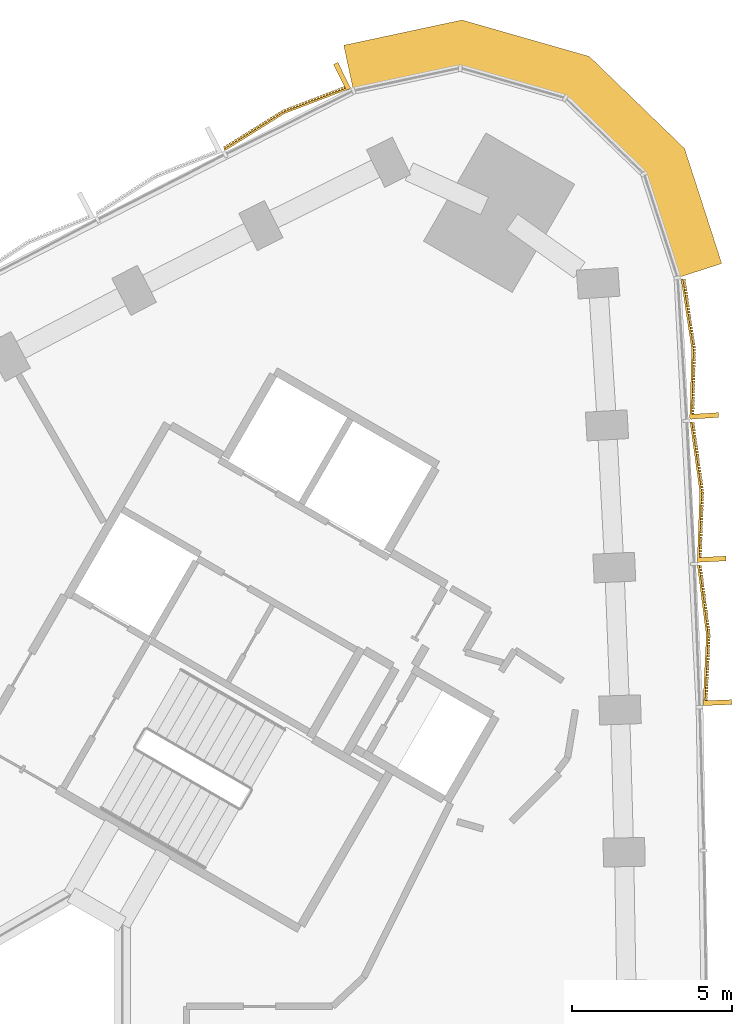
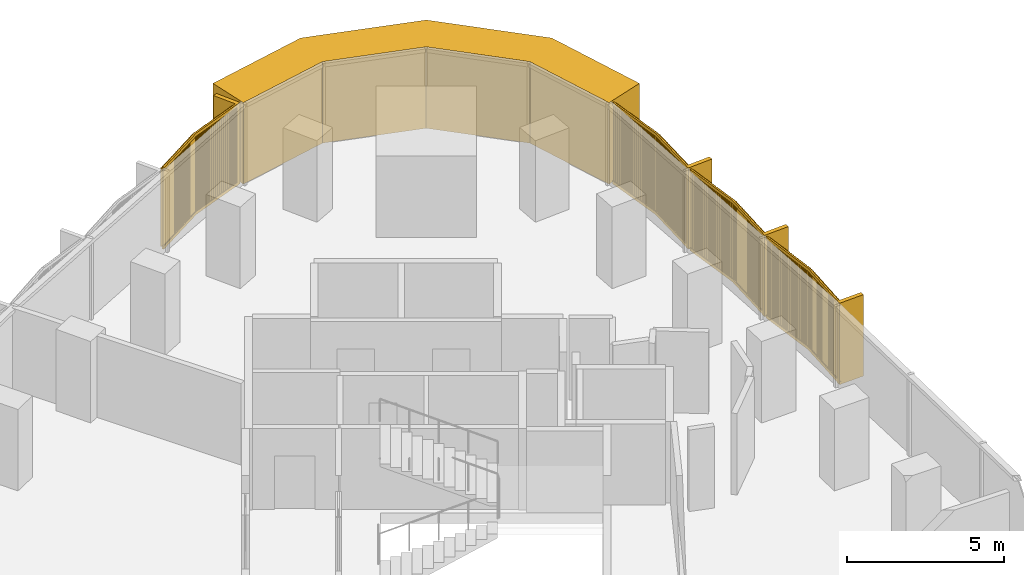
# One storey, part 15 of 15: 5 coverings.
"""IFC4 building model written with IfcOpenShell, lengths in metres."""

import ifcopenshell
import ifcopenshell.guid

model = None  # the IFC model being written
_history = None  # IfcOwnerHistory: only IFC2X3 demands one
_inside = {}  # id of a spatial element -> (the spatial element, [elements in it])
_under = {}  # id of a project, library or spatial element -> (it, [spatial elements below it])
_declared = {}  # id of a project -> (the project, [libraries it declares])
_typed = {}  # id of a type object -> (the type object, [elements of that type])
_made_of = {}  # id of a material, layer set ... -> (it, [elements and type objects made of it])


def new_model(schema):
    """Start an empty IFC model of exactly this schema.

    Asked for "IFC4X3", IfcOpenShell would pick the latest addendum, in which some entities
    have other attributes; the version numbers below select the first issue.
    IFC2X3 requires an IfcOwnerHistory on every rooted entity: one is made here for all.
    """
    global model, _history
    if schema == "IFC4X3":
        model = ifcopenshell.file(schema_version=(4, 3, 0, 0))
    else:
        model = ifcopenshell.file(schema=schema)
    _inside.clear()
    _under.clear()
    _declared.clear()
    _typed.clear()
    _made_of.clear()
    _history = None
    if model.schema == "IFC2X3":
        org = make("IfcOrganization", Name="unknown")
        user = make(
            "IfcPersonAndOrganization",
            ThePerson=make("IfcPerson", FamilyName="unknown"),
            TheOrganization=org,
        )
        app = make(
            "IfcApplication",
            ApplicationDeveloper=org,
            Version="unknown",
            ApplicationFullName="unknown",
            ApplicationIdentifier="unknown",
        )
        _history = make(
            "IfcOwnerHistory",
            OwningUser=user,
            OwningApplication=app,
            ChangeAction="ADDED",
            CreationDate=0,
        )
    return model


def make(cls, **values):
    """One entity of the class cls with the attributes given. An attribute that is None is left unset."""
    return model.create_entity(
        cls, **{name: value for name, value in values.items() if value is not None}
    )


def rooted(cls, **values):
    """An entity with a GlobalId (a new one), such as an element, a storey or a relation."""
    return make(cls, GlobalId=ifcopenshell.guid.new(), OwnerHistory=_history, **values)


def si_unit(unit_type, name, prefix=None):
    """IfcSIUnit, for example si_unit("LENGTHUNIT", "METRE", prefix="MILLI")."""
    return make("IfcSIUnit", UnitType=unit_type, Prefix=prefix, Name=name)


def assignment(units):
    """IfcUnitAssignment: the units of a project."""
    return None if units is None else make("IfcUnitAssignment", Units=units)


def point(xyz):
    """IfcCartesianPoint."""
    return None if xyz is None else make("IfcCartesianPoint", Coordinates=xyz)


def direction(xyz):
    """IfcDirection."""
    return None if xyz is None else make("IfcDirection", DirectionRatios=xyz)


def frame(location, z_axis=None, x_axis=None):
    """IfcAxis2Placement3D, a coordinate frame: its origin and axes. An axis left out is left unset."""
    return make(
        "IfcAxis2Placement3D",
        Location=point(location),
        Axis=direction(z_axis),
        RefDirection=direction(x_axis),
    )


def frame_2d(location, x_axis=None):
    """IfcAxis2Placement2D, a coordinate frame in the plane: its origin and x axis."""
    return make(
        "IfcAxis2Placement2D", Location=point(location), RefDirection=direction(x_axis)
    )


def origin():
    """The frame at (0, 0, 0) with its axes left unset."""
    return frame((0.0, 0.0, 0.0))


def place(relative_to, where):
    """IfcLocalPlacement: puts the frame where relative to a parent placement (None: the world)."""
    return make(
        "IfcLocalPlacement", PlacementRelTo=relative_to, RelativePlacement=where
    )


def context(
    kind, dimensions, precision=None, world=None, true_north=None, identifier=None
):
    """IfcGeometricRepresentationContext, for example the 3D "Model" context."""
    return make(
        "IfcGeometricRepresentationContext",
        ContextIdentifier=identifier,
        ContextType=kind,
        CoordinateSpaceDimension=dimensions,
        Precision=precision,
        WorldCoordinateSystem=world,
        TrueNorth=true_north,
    )


def subcontext(parent, identifier, kind, view, scale=None):
    """IfcGeometricRepresentationSubContext, for example "Body" below "Model"."""
    return make(
        "IfcGeometricRepresentationSubContext",
        ContextIdentifier=identifier,
        ContextType=kind,
        ParentContext=parent,
        TargetScale=scale,
        TargetView=view,
    )


def project(units=None, contexts=None):
    """IfcProject with its units and contexts."""
    return rooted(
        "IfcProject",
        Name="project",
        RepresentationContexts=contexts,
        UnitsInContext=assignment(units),
    )


def spatial(cls, under=None, at=None, **own):
    """A site, building, storey or space (cls), placed at a placement, below another one or the project."""
    s = rooted(cls, ObjectPlacement=at, **own)
    if under is not None:
        _under.setdefault(under.id(), (under, []))[1].append(s)
    return s


def polyline(points):
    """IfcPolyline through the points."""
    return make("IfcPolyline", Points=[point(p) for p in points])


def profile(cls, at=None, kind="AREA", **sizes):
    """A parametric profile (cls). Its sizes go by their IFC names, for example OverallWidth=200.0."""
    return make(cls, ProfileType=kind, Position=at, **sizes)


def rectangle(**sizes):
    """IfcRectangleProfileDef."""
    return profile("IfcRectangleProfileDef", **sizes)


def outline(outer, holes=None, kind="AREA"):
    """IfcArbitraryClosedProfileDef: a profile drawn as a closed curve; with holes, ...WithVoids."""
    if holes is None:
        return make("IfcArbitraryClosedProfileDef", ProfileType=kind, OuterCurve=outer)
    return make(
        "IfcArbitraryProfileDefWithVoids",
        ProfileType=kind,
        OuterCurve=outer,
        InnerCurves=holes,
    )


def extrude(swept, where, along, depth):
    """IfcExtrudedAreaSolid: the profile swept, set in the frame where, extruded along a direction by depth."""
    return make(
        "IfcExtrudedAreaSolid",
        SweptArea=swept,
        Position=where,
        ExtrudedDirection=direction(along),
        Depth=depth,
    )


def shape(context_of_items, identifier, shape_type, items):
    """IfcShapeRepresentation: the items that make up one representation, for example the "Body"."""
    return make(
        "IfcShapeRepresentation",
        ContextOfItems=context_of_items,
        RepresentationIdentifier=identifier,
        RepresentationType=shape_type,
        Items=items,
    )


def source(mapping_origin, context_of_items, identifier, shape_type, items):
    """IfcRepresentationMap: a shape defined once, which mapped items show again and again."""
    return make(
        "IfcRepresentationMap",
        MappingOrigin=mapping_origin,
        MappedRepresentation=shape(context_of_items, identifier, shape_type, items),
    )


def transform(
    local_origin,
    x_axis=None,
    y_axis=None,
    z_axis=None,
    scale=None,
    scale2=None,
    scale3=None,
    uniform=True,
):
    """IfcCartesianTransformationOperator3D, or its non-uniform kind. x_axis, y_axis, z_axis: its Axis1, 2, 3."""
    if uniform:
        return make(
            "IfcCartesianTransformationOperator3D",
            Axis1=direction(x_axis),
            Axis2=direction(y_axis),
            LocalOrigin=point(local_origin),
            Scale=scale,
            Axis3=direction(z_axis),
        )
    return make(
        "IfcCartesianTransformationOperator3DnonUniform",
        Axis1=direction(x_axis),
        Axis2=direction(y_axis),
        LocalOrigin=point(local_origin),
        Scale=scale,
        Axis3=direction(z_axis),
        Scale2=scale2,
        Scale3=scale3,
    )


def mapped(mapping_source, mapping_target):
    """IfcMappedItem: shows the shape of a source again, moved by a transform."""
    return make(
        "IfcMappedItem", MappingSource=mapping_source, MappingTarget=mapping_target
    )


def material(Name=None, Category=None):
    """IfcMaterial."""
    return make("IfcMaterial", Name=Name, Category=Category)


def layer(
    of_material, thickness, ventilated=None, Name=None, Category=None, Priority=None
):
    """IfcMaterialLayer: one layer of a wall or slab, of a material (None: an air gap)."""
    return make(
        "IfcMaterialLayer",
        Material=of_material,
        LayerThickness=thickness,
        IsVentilated=ventilated,
        Name=Name,
        Category=Category,
        Priority=Priority,
    )


def layer_set(layers, Name=None):
    """IfcMaterialLayerSet."""
    return make("IfcMaterialLayerSet", MaterialLayers=layers, LayerSetName=Name)


def made_of(thing, what):
    """Note that an element or type object is made of a material, layer set ...; save() writes the relation."""
    if what is not None:
        _made_of.setdefault(what.id(), (what, []))[1].append(thing)
    return thing


def type_object(cls, material=None, **own):
    """A type object (cls), such as IfcWallType, which elements share."""
    return made_of(rooted(cls, **own), material)


def element(
    cls,
    number,
    at=None,
    inside=None,
    cuts=None,
    type_object=None,
    material=None,
    context=None,
    identifier="Body",
    shape_type=None,
    held_by="IfcProductDefinitionShape",
    body=None,
    shapes=None,
    **own,
):
    """One element of the class cls, such as IfcWall. Its Tag is "e" and its number.

    at: its placement. inside: the storey or other place that contains it. cuts: it is an
    opening in that element (IfcRelVoidsElement). A single representation is given by context,
    identifier, shape_type and body (its items); several are given by shapes. held_by: the class
    of the entity that holds the representations. save() writes the other relations.
    """
    e = rooted(cls, Tag="e%d" % number, ObjectPlacement=at, **own)
    if body is not None:
        shapes = [shape(context, identifier, shape_type, body)]
    if shapes is not None:
        e.Representation = make(held_by, Representations=shapes)
    if inside is not None:
        _inside.setdefault(inside.id(), (inside, []))[1].append(e)
    if cuts is not None:
        rooted(
            "IfcRelVoidsElement", RelatingBuildingElement=cuts, RelatedOpeningElement=e
        )
    if type_object is not None:
        _typed.setdefault(type_object.id(), (type_object, []))[1].append(e)
    return made_of(e, material)


def aggregate(whole, parts):
    """IfcRelAggregates: a whole, such as a stair, and the parts it consists of."""
    return rooted("IfcRelAggregates", RelatingObject=whole, RelatedObjects=parts)


def save(model, path):
    """Write the relations noted so far, then the file.

    IfcRelAggregates (storeys below a building ...), IfcRelContainedInSpatialStructure (elements
    in a storey), IfcRelDefinesByType, IfcRelAssociatesMaterial and IfcRelDeclares: one each for
    every whole, place, type object, material and project.
    """
    for whole, parts in _under.values():
        aggregate(whole, parts)
    for where, things in _inside.values():
        rooted(
            "IfcRelContainedInSpatialStructure",
            RelatedElements=things,
            RelatingStructure=where,
        )
    for kind, things in _typed.values():
        rooted("IfcRelDefinesByType", RelatedObjects=things, RelatingType=kind)
    for what, things in _made_of.values():
        rooted("IfcRelAssociatesMaterial", RelatedObjects=things, RelatingMaterial=what)
    for by, libraries in _declared.values():
        rooted("IfcRelDeclares", RelatingContext=by, RelatedDefinitions=libraries)
    model.write(path)


model = new_model("IFC4")

# Units and contexts
model_context = context("Model", 3, precision=1e-05, world=origin(), true_north=direction((0.0, 1.0)))
body_context = subcontext(model_context, "Body", "Model", "MODEL_VIEW")
ifc_project = project(units=[si_unit("LENGTHUNIT", "METRE"), si_unit("AREAUNIT", "SQUARE_METRE"), si_unit("VOLUMEUNIT", "CUBIC_METRE"), si_unit("PLANEANGLEUNIT", "RADIAN"), si_unit("MASSUNIT", "GRAM", prefix="KILO")], contexts=[model_context])

# Site, building, storey
site_placement = place(None, origin())
site = spatial("IfcSite", under=ifc_project, at=site_placement, CompositionType="ELEMENT")
building_placement = place(site_placement, origin())
building = spatial("IfcBuilding", under=site, at=building_placement, Name="Tamra Quay Hotel Tower", CompositionType="ELEMENT")
storey_placement = place(building_placement, frame((0.0, 0.0, 97.39990234375)))
storey = spatial("IfcBuildingStorey", under=building, at=storey_placement, Name="L23", CompositionType="ELEMENT", Elevation=97.39990234375)

# Coverings
ifc_material_1 = material(Name="Precast concrete M60 terracotta-coloured", Category="masonry")
ifc_layer = layer(ifc_material_1, 1.449951171875)
ifc_layer_set = layer_set([ifc_layer], Name="CORNER PIER PANEL")
covering_type_1 = type_object("IfcCoveringType", Name="CORNER PIER PANEL", PredefinedType="CLADDING", material=ifc_layer_set)
covering_1_placement = place(storey_placement, origin())
element("IfcCovering", 1, at=covering_1_placement, inside=storey, type_object=covering_type_1, Name="Corner pier L23.east", PredefinedType="CLADDING", context=body_context, shape_type="SweptSolid", body=[
    extrude(outline(polyline([(22.226318359375, 26.81787109375), (23.60595703125, 27.26416015625), (22.44482421875, 30.853271484375), (19.471923828125, 33.7265625), (15.497314453125, 34.864501953125), (11.808349609375, 34.075439453125), (12.11181640625, 32.657470703125), (15.4462890625, 33.370849609375), (18.724609375, 32.43212890625), (21.1767578125, 30.062255859375), (22.226318359375, 26.81787109375)])), origin(), (0.0, 0.0, 1.0), 3.175048828125),
])
ifc_material_2 = material(Name="Terracotta baguette extruded", Category="masonry")
covering_type_2 = type_object("IfcCoveringType", Name="BAGUETTE SCREEN E-V H3175", PredefinedType="USERDEFINED", material=ifc_material_2)
shared_shape_1 = source(origin(), body_context, "Body", "SweptSolid", [
    extrude(rectangle(XDim=2.200927734375, YDim=0.06005859375, at=frame_2d((1.1005859375, 0.030029296875))), frame((-2.19775390625, -0.057861328125, -0.1201171875), z_axis=(0.0, 0.0, 1.0), x_axis=(0.996194698092, -0.087155742748, 0.0)), (0.0, 0.0, 1.0), 0.1201171875),
    extrude(rectangle(XDim=2.200927734375, YDim=0.06005859375, at=frame_2d((1.1005859375, 0.030029296875))), frame((-2.19775390625, -0.057861328125, -3.175048828125), z_axis=(0.0, 0.0, 1.0), x_axis=(0.996194698092, -0.087155742748, 0.0)), (0.0, 0.0, 1.0), 0.1201171875),
    extrude(rectangle(XDim=0.070068359375, YDim=0.10009765625, at=frame_2d((0.03515625, 0.050048828125))), frame((-2.177734375, -0.13232421875, -3.114990234375)), (0.0, 0.0, 1.0), 3.054931640625),
    extrude(rectangle(XDim=0.070068359375, YDim=0.10009765625, at=frame_2d((0.03515625, 0.050048828125))), frame((-2.078125, -0.14111328125, -3.114990234375)), (0.0, 0.0, 1.0), 3.054931640625),
    extrude(rectangle(XDim=0.070068359375, YDim=0.10009765625, at=frame_2d((0.03515625, 0.050048828125))), frame((-1.978271484375, -0.14990234375, -3.114990234375)), (0.0, 0.0, 1.0), 3.054931640625),
    extrude(rectangle(XDim=0.070068359375, YDim=0.10009765625, at=frame_2d((0.03515625, 0.050048828125))), frame((-1.878662109375, -0.158447265625, -3.114990234375)), (0.0, 0.0, 1.0), 3.054931640625),
    extrude(rectangle(XDim=0.070068359375, YDim=0.10009765625, at=frame_2d((0.03515625, 0.050048828125))), frame((-1.779052734375, -0.167236328125, -3.114990234375)), (0.0, 0.0, 1.0), 3.054931640625),
    extrude(rectangle(XDim=0.070068359375, YDim=0.10009765625, at=frame_2d((0.03515625, 0.050048828125))), frame((-1.679443359375, -0.176025390625, -3.114990234375)), (0.0, 0.0, 1.0), 3.054931640625),
    extrude(rectangle(XDim=0.070068359375, YDim=0.10009765625, at=frame_2d((0.03515625, 0.050048828125))), frame((-1.579833984375, -0.1845703125, -3.114990234375)), (0.0, 0.0, 1.0), 3.054931640625),
    extrude(rectangle(XDim=0.070068359375, YDim=0.10009765625, at=frame_2d((0.03515625, 0.050048828125))), frame((-1.47998046875, -0.193359375, -3.114990234375)), (0.0, 0.0, 1.0), 3.054931640625),
    extrude(rectangle(XDim=0.070068359375, YDim=0.10009765625, at=frame_2d((0.03515625, 0.050048828125))), frame((-1.38037109375, -0.2021484375, -3.114990234375)), (0.0, 0.0, 1.0), 3.054931640625),
    extrude(rectangle(XDim=0.070068359375, YDim=0.10009765625, at=frame_2d((0.03515625, 0.050048828125))), frame((-1.28076171875, -0.2109375, -3.114990234375)), (0.0, 0.0, 1.0), 3.054931640625),
    extrude(rectangle(XDim=0.070068359375, YDim=0.10009765625, at=frame_2d((0.03515625, 0.050048828125))), frame((-1.18115234375, -0.219482421875, -3.114990234375)), (0.0, 0.0, 1.0), 3.054931640625),
    extrude(rectangle(XDim=0.070068359375, YDim=0.10009765625, at=frame_2d((0.03515625, 0.050048828125))), frame((-1.081298828125, -0.228271484375, -3.114990234375)), (0.0, 0.0, 1.0), 3.054931640625),
    extrude(rectangle(XDim=0.070068359375, YDim=0.10009765625, at=frame_2d((0.03515625, 0.050048828125))), frame((-0.981689453125, -0.237060546875, -3.114990234375)), (0.0, 0.0, 1.0), 3.054931640625),
    extrude(rectangle(XDim=0.070068359375, YDim=0.10009765625, at=frame_2d((0.03515625, 0.050048828125))), frame((-0.882080078125, -0.24560546875, -3.114990234375)), (0.0, 0.0, 1.0), 3.054931640625),
    extrude(rectangle(XDim=0.070068359375, YDim=0.10009765625, at=frame_2d((0.03515625, 0.050048828125))), frame((-0.782470703125, -0.25439453125, -3.114990234375)), (0.0, 0.0, 1.0), 3.054931640625),
    extrude(rectangle(XDim=0.070068359375, YDim=0.10009765625, at=frame_2d((0.03515625, 0.050048828125))), frame((-0.682861328125, -0.26318359375, -3.114990234375)), (0.0, 0.0, 1.0), 3.054931640625),
    extrude(rectangle(XDim=0.070068359375, YDim=0.10009765625, at=frame_2d((0.03515625, 0.050048828125))), frame((-0.583251953125, -0.27197265625, -3.114990234375)), (0.0, 0.0, 1.0), 3.054931640625),
    extrude(rectangle(XDim=0.070068359375, YDim=0.10009765625, at=frame_2d((0.03515625, 0.050048828125))), frame((-0.4833984375, -0.280517578125, -3.114990234375)), (0.0, 0.0, 1.0), 3.054931640625),
    extrude(rectangle(XDim=0.070068359375, YDim=0.10009765625, at=frame_2d((0.03515625, 0.050048828125))), frame((-0.3837890625, -0.289306640625, -3.114990234375)), (0.0, 0.0, 1.0), 3.054931640625),
    extrude(rectangle(XDim=0.070068359375, YDim=0.10009765625, at=frame_2d((0.03515625, 0.050048828125))), frame((-0.2841796875, -0.298095703125, -3.114990234375)), (0.0, 0.0, 1.0), 3.054931640625),
    extrude(rectangle(XDim=0.070068359375, YDim=0.10009765625, at=frame_2d((0.03515625, 0.050048828125))), frame((-0.1845703125, -0.306640625, -3.114990234375)), (0.0, 0.0, 1.0), 3.054931640625),
    extrude(rectangle(XDim=0.070068359375, YDim=0.10009765625, at=frame_2d((0.03515625, 0.050048828125))), frame((-0.084716796875, -0.3154296875, -3.114990234375)), (0.0, 0.0, 1.0), 3.054931640625),
    extrude(rectangle(XDim=2.200927734375, YDim=0.06005859375, at=frame_2d((1.1005859375, 0.030029296875))), frame((0.005126953125, -0.24951171875, -0.1201171875), z_axis=(0.0, 0.0, 1.0), x_axis=(0.996194698092, 0.087155742748, 0.0)), (0.0, 0.0, 1.0), 0.1201171875),
    extrude(rectangle(XDim=2.200927734375, YDim=0.06005859375, at=frame_2d((1.1005859375, 0.030029296875))), frame((0.005126953125, -0.24951171875, -3.175048828125), z_axis=(0.0, 0.0, 1.0), x_axis=(0.996194698092, 0.087155742748, 0.0)), (0.0, 0.0, 1.0), 0.1201171875),
    extrude(rectangle(XDim=0.070068359375, YDim=0.10009765625, at=frame_2d((0.03515625, 0.050048828125))), frame((0.014892578125, -0.3154296875, -3.114990234375)), (0.0, 0.0, 1.0), 3.054931640625),
    extrude(rectangle(XDim=0.070068359375, YDim=0.10009765625, at=frame_2d((0.03515625, 0.050048828125))), frame((0.114501953125, -0.306640625, -3.114990234375)), (0.0, 0.0, 1.0), 3.054931640625),
    extrude(rectangle(XDim=0.070068359375, YDim=0.10009765625, at=frame_2d((0.03515625, 0.050048828125))), frame((0.214111328125, -0.298095703125, -3.114990234375)), (0.0, 0.0, 1.0), 3.054931640625),
    extrude(rectangle(XDim=0.070068359375, YDim=0.10009765625, at=frame_2d((0.03515625, 0.050048828125))), frame((0.313720703125, -0.289306640625, -3.114990234375)), (0.0, 0.0, 1.0), 3.054931640625),
    extrude(rectangle(XDim=0.070068359375, YDim=0.10009765625, at=frame_2d((0.03515625, 0.050048828125))), frame((0.41357421875, -0.280517578125, -3.114990234375)), (0.0, 0.0, 1.0), 3.054931640625),
    extrude(rectangle(XDim=0.070068359375, YDim=0.10009765625, at=frame_2d((0.03515625, 0.050048828125))), frame((0.51318359375, -0.27197265625, -3.114990234375)), (0.0, 0.0, 1.0), 3.054931640625),
    extrude(rectangle(XDim=0.070068359375, YDim=0.10009765625, at=frame_2d((0.03515625, 0.050048828125))), frame((0.61279296875, -0.26318359375, -3.114990234375)), (0.0, 0.0, 1.0), 3.054931640625),
    extrude(rectangle(XDim=0.070068359375, YDim=0.10009765625, at=frame_2d((0.03515625, 0.050048828125))), frame((0.71240234375, -0.25439453125, -3.114990234375)), (0.0, 0.0, 1.0), 3.054931640625),
    extrude(rectangle(XDim=0.070068359375, YDim=0.10009765625, at=frame_2d((0.03515625, 0.050048828125))), frame((0.81201171875, -0.24560546875, -3.114990234375)), (0.0, 0.0, 1.0), 3.054931640625),
    extrude(rectangle(XDim=0.070068359375, YDim=0.10009765625, at=frame_2d((0.03515625, 0.050048828125))), frame((0.911865234375, -0.237060546875, -3.114990234375)), (0.0, 0.0, 1.0), 3.054931640625),
    extrude(rectangle(XDim=0.070068359375, YDim=0.10009765625, at=frame_2d((0.03515625, 0.050048828125))), frame((1.011474609375, -0.228271484375, -3.114990234375)), (0.0, 0.0, 1.0), 3.054931640625),
    extrude(rectangle(XDim=0.070068359375, YDim=0.10009765625, at=frame_2d((0.03515625, 0.050048828125))), frame((1.111083984375, -0.219482421875, -3.114990234375)), (0.0, 0.0, 1.0), 3.054931640625),
    extrude(rectangle(XDim=0.070068359375, YDim=0.10009765625, at=frame_2d((0.03515625, 0.050048828125))), frame((1.210693359375, -0.2109375, -3.114990234375)), (0.0, 0.0, 1.0), 3.054931640625),
    extrude(rectangle(XDim=0.070068359375, YDim=0.10009765625, at=frame_2d((0.03515625, 0.050048828125))), frame((1.310302734375, -0.2021484375, -3.114990234375)), (0.0, 0.0, 1.0), 3.054931640625),
    extrude(rectangle(XDim=0.070068359375, YDim=0.10009765625, at=frame_2d((0.03515625, 0.050048828125))), frame((1.41015625, -0.193359375, -3.114990234375)), (0.0, 0.0, 1.0), 3.054931640625),
    extrude(rectangle(XDim=0.070068359375, YDim=0.10009765625, at=frame_2d((0.03515625, 0.050048828125))), frame((1.509765625, -0.1845703125, -3.114990234375)), (0.0, 0.0, 1.0), 3.054931640625),
    extrude(rectangle(XDim=0.070068359375, YDim=0.10009765625, at=frame_2d((0.03515625, 0.050048828125))), frame((1.609375, -0.176025390625, -3.114990234375)), (0.0, 0.0, 1.0), 3.054931640625),
    extrude(rectangle(XDim=0.070068359375, YDim=0.10009765625, at=frame_2d((0.03515625, 0.050048828125))), frame((1.708984375, -0.167236328125, -3.114990234375)), (0.0, 0.0, 1.0), 3.054931640625),
    extrude(rectangle(XDim=0.070068359375, YDim=0.10009765625, at=frame_2d((0.03515625, 0.050048828125))), frame((1.80859375, -0.158447265625, -3.114990234375)), (0.0, 0.0, 1.0), 3.054931640625),
    extrude(rectangle(XDim=0.070068359375, YDim=0.10009765625, at=frame_2d((0.03515625, 0.050048828125))), frame((1.908447265625, -0.14990234375, -3.114990234375)), (0.0, 0.0, 1.0), 3.054931640625),
    extrude(rectangle(XDim=0.070068359375, YDim=0.10009765625, at=frame_2d((0.03515625, 0.050048828125))), frame((2.008056640625, -0.14111328125, -3.114990234375)), (0.0, 0.0, 1.0), 3.054931640625),
    extrude(rectangle(XDim=0.070068359375, YDim=0.10009765625, at=frame_2d((0.03515625, 0.050048828125))), frame((2.107666015625, -0.13232421875, -3.114990234375)), (0.0, 0.0, 1.0), 3.054931640625),
    extrude(rectangle(XDim=0.14990234375, YDim=0.902099609375, at=frame_2d((0.074951171875, 0.451171875))), frame((-2.1923828125, -0.89990234375, -3.175048828125)), (0.0, 0.0, 1.0), 3.175048828125),
])
for number, where, z_axis, x_axis, name in (
    (2, (22.933349609375, 15.65625, 3.175048828125), (0.0, 0.0, 1.0), (-0.039943885581, 0.99920192454, 0.0), "Baguette screen L23.E.f09"),
    (3, (22.729248046875, 20.1259765625, 3.175048828125), (0.0, 0.0, 1.0), (-0.051320736558, 0.998682222731, 0.0), "Baguette screen L23.E.f10"),
    (4, (22.474365234375, 24.5927734375, 3.175048828125), (0.0, 0.0, 1.0), (-0.062669917068, 0.998034308776, 0.0), "Baguette screen L23.E.f11"),
):
    element("IfcCovering", number, at=place(storey_placement, frame(where, z_axis=z_axis, x_axis=x_axis)), inside=storey, type_object=covering_type_2, Name=name, ObjectType="BAGUETTE SCREEN", PredefinedType="USERDEFINED", context=body_context, shape_type="MappedRepresentation", body=[
        mapped(shared_shape_1, transform((0.0, 0.0, 0.0), scale=1.0)),
    ])
covering_type_3 = type_object("IfcCoveringType", Name="BAGUETTE SCREEN NW-V H3175", PredefinedType="USERDEFINED", material=ifc_material_2)
shared_shape_2 = source(origin(), body_context, "Body", "SweptSolid", [
    extrude(rectangle(XDim=2.20263671875, YDim=0.06005859375, at=frame_2d((1.101318359375, 0.030029296875))), frame((-2.1982421875, -0.0576171875, -0.1201171875), z_axis=(0.0, 0.0, 1.0), x_axis=(0.995396198367, -0.09584575252, 0.0)), (0.0, 0.0, 1.0), 0.1201171875),
    extrude(rectangle(XDim=2.20263671875, YDim=0.06005859375, at=frame_2d((1.101318359375, 0.030029296875))), frame((-2.1982421875, -0.0576171875, -3.175048828125), z_axis=(0.0, 0.0, 1.0), x_axis=(0.995396198367, -0.09584575252, 0.0)), (0.0, 0.0, 1.0), 0.1201171875),
    extrude(rectangle(XDim=0.070068359375, YDim=0.10009765625, at=frame_2d((0.03515625, 0.050048828125))), frame((-2.177734375, -0.1328125, -3.114990234375)), (0.0, 0.0, 1.0), 3.054931640625),
    extrude(rectangle(XDim=0.070068359375, YDim=0.10009765625, at=frame_2d((0.03515625, 0.050048828125))), frame((-2.078125, -0.142333984375, -3.114990234375)), (0.0, 0.0, 1.0), 3.054931640625),
    extrude(rectangle(XDim=0.070068359375, YDim=0.10009765625, at=frame_2d((0.03515625, 0.050048828125))), frame((-1.978271484375, -0.152099609375, -3.114990234375)), (0.0, 0.0, 1.0), 3.054931640625),
    extrude(rectangle(XDim=0.070068359375, YDim=0.10009765625, at=frame_2d((0.03515625, 0.050048828125))), frame((-1.878662109375, -0.16162109375, -3.114990234375)), (0.0, 0.0, 1.0), 3.054931640625),
    extrude(rectangle(XDim=0.070068359375, YDim=0.10009765625, at=frame_2d((0.03515625, 0.050048828125))), frame((-1.779052734375, -0.171142578125, -3.114990234375)), (0.0, 0.0, 1.0), 3.054931640625),
    extrude(rectangle(XDim=0.070068359375, YDim=0.10009765625, at=frame_2d((0.03515625, 0.050048828125))), frame((-1.679443359375, -0.1806640625, -3.114990234375)), (0.0, 0.0, 1.0), 3.054931640625),
    extrude(rectangle(XDim=0.070068359375, YDim=0.10009765625, at=frame_2d((0.03515625, 0.050048828125))), frame((-1.579833984375, -0.1904296875, -3.114990234375)), (0.0, 0.0, 1.0), 3.054931640625),
    extrude(rectangle(XDim=0.070068359375, YDim=0.10009765625, at=frame_2d((0.03515625, 0.050048828125))), frame((-1.47998046875, -0.199951171875, -3.114990234375)), (0.0, 0.0, 1.0), 3.054931640625),
    extrude(rectangle(XDim=0.070068359375, YDim=0.10009765625, at=frame_2d((0.03515625, 0.050048828125))), frame((-1.38037109375, -0.20947265625, -3.114990234375)), (0.0, 0.0, 1.0), 3.054931640625),
    extrude(rectangle(XDim=0.070068359375, YDim=0.10009765625, at=frame_2d((0.03515625, 0.050048828125))), frame((-1.28076171875, -0.21923828125, -3.114990234375)), (0.0, 0.0, 1.0), 3.054931640625),
    extrude(rectangle(XDim=0.070068359375, YDim=0.10009765625, at=frame_2d((0.03515625, 0.050048828125))), frame((-1.18115234375, -0.228759765625, -3.114990234375)), (0.0, 0.0, 1.0), 3.054931640625),
    extrude(rectangle(XDim=0.070068359375, YDim=0.10009765625, at=frame_2d((0.03515625, 0.050048828125))), frame((-1.081298828125, -0.23828125, -3.114990234375)), (0.0, 0.0, 1.0), 3.054931640625),
    extrude(rectangle(XDim=0.070068359375, YDim=0.10009765625, at=frame_2d((0.03515625, 0.050048828125))), frame((-0.981689453125, -0.248046875, -3.114990234375)), (0.0, 0.0, 1.0), 3.054931640625),
    extrude(rectangle(XDim=0.070068359375, YDim=0.10009765625, at=frame_2d((0.03515625, 0.050048828125))), frame((-0.882080078125, -0.257568359375, -3.114990234375)), (0.0, 0.0, 1.0), 3.054931640625),
    extrude(rectangle(XDim=0.070068359375, YDim=0.10009765625, at=frame_2d((0.03515625, 0.050048828125))), frame((-0.782470703125, -0.26708984375, -3.114990234375)), (0.0, 0.0, 1.0), 3.054931640625),
    extrude(rectangle(XDim=0.070068359375, YDim=0.10009765625, at=frame_2d((0.03515625, 0.050048828125))), frame((-0.682861328125, -0.27685546875, -3.114990234375)), (0.0, 0.0, 1.0), 3.054931640625),
    extrude(rectangle(XDim=0.070068359375, YDim=0.10009765625, at=frame_2d((0.03515625, 0.050048828125))), frame((-0.583251953125, -0.286376953125, -3.114990234375)), (0.0, 0.0, 1.0), 3.054931640625),
    extrude(rectangle(XDim=0.070068359375, YDim=0.10009765625, at=frame_2d((0.03515625, 0.050048828125))), frame((-0.4833984375, -0.2958984375, -3.114990234375)), (0.0, 0.0, 1.0), 3.054931640625),
    extrude(rectangle(XDim=0.070068359375, YDim=0.10009765625, at=frame_2d((0.03515625, 0.050048828125))), frame((-0.3837890625, -0.305419921875, -3.114990234375)), (0.0, 0.0, 1.0), 3.054931640625),
    extrude(rectangle(XDim=0.070068359375, YDim=0.10009765625, at=frame_2d((0.03515625, 0.050048828125))), frame((-0.2841796875, -0.315185546875, -3.114990234375)), (0.0, 0.0, 1.0), 3.054931640625),
    extrude(rectangle(XDim=0.070068359375, YDim=0.10009765625, at=frame_2d((0.03515625, 0.050048828125))), frame((-0.1845703125, -0.32470703125, -3.114990234375)), (0.0, 0.0, 1.0), 3.054931640625),
    extrude(rectangle(XDim=0.070068359375, YDim=0.10009765625, at=frame_2d((0.03515625, 0.050048828125))), frame((-0.084716796875, -0.334228515625, -3.114990234375)), (0.0, 0.0, 1.0), 3.054931640625),
    extrude(rectangle(XDim=2.20263671875, YDim=0.06005859375, at=frame_2d((1.101318359375, 0.030029296875))), frame((0.005859375, -0.268798828125, -0.1201171875), z_axis=(0.0, 0.0, 1.0), x_axis=(0.995396198367, 0.09584575252, 0.0)), (0.0, 0.0, 1.0), 0.1201171875),
    extrude(rectangle(XDim=2.20263671875, YDim=0.06005859375, at=frame_2d((1.101318359375, 0.030029296875))), frame((0.005859375, -0.268798828125, -3.175048828125), z_axis=(0.0, 0.0, 1.0), x_axis=(0.995396198367, 0.09584575252, 0.0)), (0.0, 0.0, 1.0), 0.1201171875),
    extrude(rectangle(XDim=0.070068359375, YDim=0.10009765625, at=frame_2d((0.03515625, 0.050048828125))), frame((0.014892578125, -0.334228515625, -3.114990234375)), (0.0, 0.0, 1.0), 3.054931640625),
    extrude(rectangle(XDim=0.070068359375, YDim=0.10009765625, at=frame_2d((0.03515625, 0.050048828125))), frame((0.114501953125, -0.32470703125, -3.114990234375)), (0.0, 0.0, 1.0), 3.054931640625),
    extrude(rectangle(XDim=0.070068359375, YDim=0.10009765625, at=frame_2d((0.03515625, 0.050048828125))), frame((0.214111328125, -0.315185546875, -3.114990234375)), (0.0, 0.0, 1.0), 3.054931640625),
    extrude(rectangle(XDim=0.070068359375, YDim=0.10009765625, at=frame_2d((0.03515625, 0.050048828125))), frame((0.313720703125, -0.305419921875, -3.114990234375)), (0.0, 0.0, 1.0), 3.054931640625),
    extrude(rectangle(XDim=0.070068359375, YDim=0.10009765625, at=frame_2d((0.03515625, 0.050048828125))), frame((0.41357421875, -0.2958984375, -3.114990234375)), (0.0, 0.0, 1.0), 3.054931640625),
    extrude(rectangle(XDim=0.070068359375, YDim=0.10009765625, at=frame_2d((0.03515625, 0.050048828125))), frame((0.51318359375, -0.286376953125, -3.114990234375)), (0.0, 0.0, 1.0), 3.054931640625),
    extrude(rectangle(XDim=0.070068359375, YDim=0.10009765625, at=frame_2d((0.03515625, 0.050048828125))), frame((0.61279296875, -0.27685546875, -3.114990234375)), (0.0, 0.0, 1.0), 3.054931640625),
    extrude(rectangle(XDim=0.070068359375, YDim=0.10009765625, at=frame_2d((0.03515625, 0.050048828125))), frame((0.71240234375, -0.26708984375, -3.114990234375)), (0.0, 0.0, 1.0), 3.054931640625),
    extrude(rectangle(XDim=0.070068359375, YDim=0.10009765625, at=frame_2d((0.03515625, 0.050048828125))), frame((0.81201171875, -0.257568359375, -3.114990234375)), (0.0, 0.0, 1.0), 3.054931640625),
    extrude(rectangle(XDim=0.070068359375, YDim=0.10009765625, at=frame_2d((0.03515625, 0.050048828125))), frame((0.911865234375, -0.248046875, -3.114990234375)), (0.0, 0.0, 1.0), 3.054931640625),
    extrude(rectangle(XDim=0.070068359375, YDim=0.10009765625, at=frame_2d((0.03515625, 0.050048828125))), frame((1.011474609375, -0.23828125, -3.114990234375)), (0.0, 0.0, 1.0), 3.054931640625),
    extrude(rectangle(XDim=0.070068359375, YDim=0.10009765625, at=frame_2d((0.03515625, 0.050048828125))), frame((1.111083984375, -0.228759765625, -3.114990234375)), (0.0, 0.0, 1.0), 3.054931640625),
    extrude(rectangle(XDim=0.070068359375, YDim=0.10009765625, at=frame_2d((0.03515625, 0.050048828125))), frame((1.210693359375, -0.21923828125, -3.114990234375)), (0.0, 0.0, 1.0), 3.054931640625),
    extrude(rectangle(XDim=0.070068359375, YDim=0.10009765625, at=frame_2d((0.03515625, 0.050048828125))), frame((1.310302734375, -0.20947265625, -3.114990234375)), (0.0, 0.0, 1.0), 3.054931640625),
    extrude(rectangle(XDim=0.070068359375, YDim=0.10009765625, at=frame_2d((0.03515625, 0.050048828125))), frame((1.41015625, -0.199951171875, -3.114990234375)), (0.0, 0.0, 1.0), 3.054931640625),
    extrude(rectangle(XDim=0.070068359375, YDim=0.10009765625, at=frame_2d((0.03515625, 0.050048828125))), frame((1.509765625, -0.1904296875, -3.114990234375)), (0.0, 0.0, 1.0), 3.054931640625),
    extrude(rectangle(XDim=0.070068359375, YDim=0.10009765625, at=frame_2d((0.03515625, 0.050048828125))), frame((1.609375, -0.1806640625, -3.114990234375)), (0.0, 0.0, 1.0), 3.054931640625),
    extrude(rectangle(XDim=0.070068359375, YDim=0.10009765625, at=frame_2d((0.03515625, 0.050048828125))), frame((1.708984375, -0.171142578125, -3.114990234375)), (0.0, 0.0, 1.0), 3.054931640625),
    extrude(rectangle(XDim=0.070068359375, YDim=0.10009765625, at=frame_2d((0.03515625, 0.050048828125))), frame((1.80859375, -0.16162109375, -3.114990234375)), (0.0, 0.0, 1.0), 3.054931640625),
    extrude(rectangle(XDim=0.070068359375, YDim=0.10009765625, at=frame_2d((0.03515625, 0.050048828125))), frame((1.908447265625, -0.152099609375, -3.114990234375)), (0.0, 0.0, 1.0), 3.054931640625),
    extrude(rectangle(XDim=0.070068359375, YDim=0.10009765625, at=frame_2d((0.03515625, 0.050048828125))), frame((2.008056640625, -0.142333984375, -3.114990234375)), (0.0, 0.0, 1.0), 3.054931640625),
    extrude(rectangle(XDim=0.070068359375, YDim=0.10009765625, at=frame_2d((0.03515625, 0.050048828125))), frame((2.107666015625, -0.1328125, -3.114990234375)), (0.0, 0.0, 1.0), 3.054931640625),
    extrude(rectangle(XDim=0.14990234375, YDim=0.902099609375, at=frame_2d((0.074951171875, 0.451171875))), frame((-2.1923828125, -0.89990234375, -3.175048828125)), (0.0, 0.0, 1.0), 3.175048828125),
])
covering_2_placement = place(storey_placement, frame((10.060791015625, 31.759765625, 3.175048828125), z_axis=(0.0, 0.0, 1.0), x_axis=(-0.895658023783, -0.444743414154, 0.0)))
element("IfcCovering", 5, at=covering_2_placement, inside=storey, type_object=covering_type_3, Name="Baguette screen L23.NW.f00", ObjectType="BAGUETTE SCREEN", PredefinedType="USERDEFINED", context=body_context, shape_type="MappedRepresentation", body=[
    mapped(shared_shape_2, transform((0.0, 0.0, 0.0), scale=1.0)),
])

save(model, "model.ifc")
